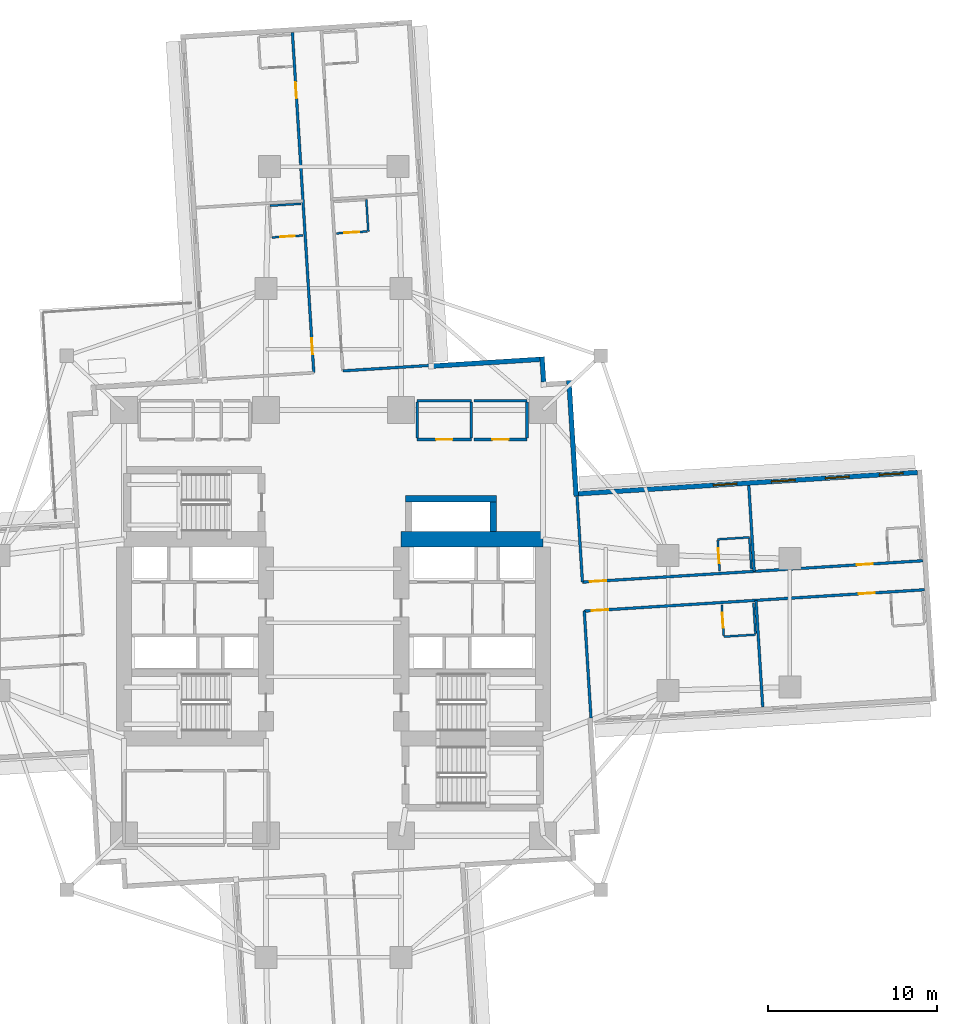
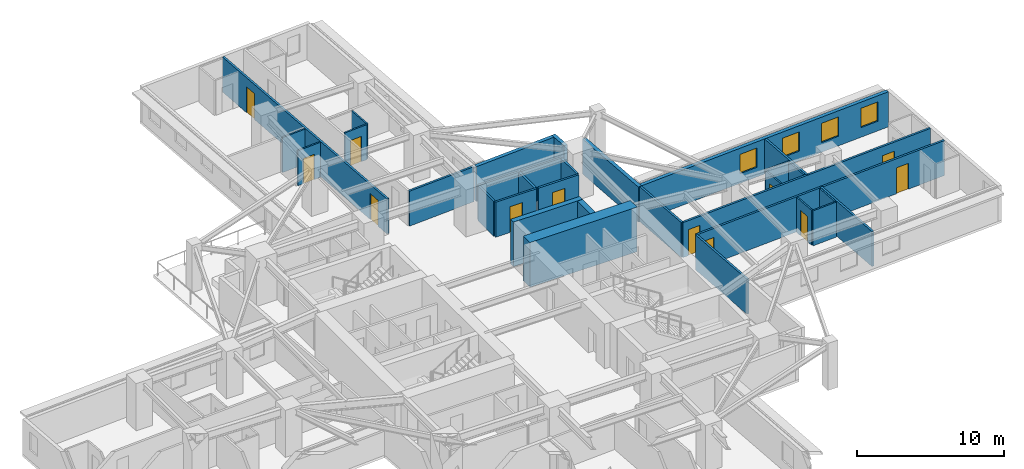
# One storey, part 7 of 14: 32 walls, 12 doors, 4 windows, 16 openings.
"""IFC4 building model written with IfcOpenShell, lengths in metres."""

from ifc_helpers import new_model, si_unit, direction, frame, frame_2d, origin, place, context, subcontext, project, spatial, rectangle, extrude, material, layer, layer_set, type_object, element, fill, save


model = new_model("IFC4")

# Units and contexts
model_context = context("Model", 3, precision=1e-05, world=origin(), true_north=direction((0.0, 1.0)))
body_context = subcontext(model_context, "Body", "Model", "MODEL_VIEW")
ifc_project = project(units=[si_unit("LENGTHUNIT", "METRE"), si_unit("AREAUNIT", "SQUARE_METRE"), si_unit("VOLUMEUNIT", "CUBIC_METRE"), si_unit("PLANEANGLEUNIT", "RADIAN"), si_unit("MASSUNIT", "GRAM", prefix="KILO")], contexts=[model_context])

# Site, building, storey
site_placement = place(None, origin())
site = spatial("IfcSite", under=ifc_project, at=site_placement, CompositionType="ELEMENT")
building_placement = place(site_placement, origin())
building = spatial("IfcBuilding", under=site, at=building_placement, Name="Qingluan Cross Belvedere", CompositionType="ELEMENT")
storey_placement = place(building_placement, frame((0.0, 0.0, 39.300048828125)))
storey = spatial("IfcBuildingStorey", under=building, at=storey_placement, Name="L10", CompositionType="ELEMENT", Elevation=39.300048828125)

# Walls
ifc_material_1 = material(Name="Concrete C50", Category="concrete")
ifc_layer_1 = layer(ifc_material_1, 0.449951171875, Name="CoreShearWall_450")
ifc_layer_set_1 = layer_set([ifc_layer_1], Name="Concrete C50")
wall_type_1 = type_object("IfcWallType", Name="CoreShearWall_450", PredefinedType="SHEAR", material=ifc_layer_set_1)
wall_1_placement = place(storey_placement, frame((4.25, 7.35009765625, 0.0), z_axis=(0.0, 0.0, 1.0), x_axis=(1.0, 0.0, 0.0)))
element("IfcWall", 1, at=wall_1_placement, inside=storey, type_object=wall_type_1, Name="Express shuttle core wall L10-N", PredefinedType="SHEAR", context=body_context, shape_type="SweptSolid", body=[
    extrude(rectangle(XDim=5.39990234375, YDim=0.39990234375, at=frame_2d((2.699951171875, 0.0))), origin(), (0.0, 0.0, 1.0), 3.699951171875),
])
wall_2_placement = place(storey_placement, frame((9.449951171875, 5.405029296875, 0.0), z_axis=(0.0, 0.0, 1.0), x_axis=(0.0, 1.0, 0.0)))
element("IfcWall", 2, at=wall_2_placement, inside=storey, type_object=wall_type_1, Name="Express shuttle core wall L10-E", PredefinedType="SHEAR", context=body_context, shape_type="SweptSolid", body=[
    extrude(rectangle(XDim=1.73486328125, YDim=0.39990234375, at=frame_2d((0.867431640625, 0.0))), origin(), (0.0, 0.0, 1.0), 3.699951171875),
])
ifc_material_2 = material(Name="Concrete C70", Category="concrete")
ifc_layer_2 = layer(ifc_material_2, 0.89990234375, Name="CoreShearWall_900")
ifc_layer_set_2 = layer_set([ifc_layer_2], Name="Concrete C70")
wall_type_2 = type_object("IfcWallType", Name="CoreShearWall_900", PredefinedType="SHEAR", material=ifc_layer_set_2)
wall_3_placement = place(storey_placement, frame((4.0, 4.949951171875, 0.0), z_axis=(0.0, 0.0, 1.0), x_axis=(1.0, 0.0, 0.0)))
element("IfcWall", 3, at=wall_3_placement, inside=storey, type_object=wall_type_2, Name="Split core E shear wall L10-N", PredefinedType="SHEAR", context=body_context, shape_type="SweptSolid", body=[
    extrude(rectangle(XDim=8.39990234375, YDim=0.89990234375, at=frame_2d((4.199951171875, 0.0))), origin(), (0.0, 0.0, 1.0), 3.699951171875),
])

# Wall, opening, door
ifc_material_3 = material(Name="Gypsum plasterboard on steel stud acoustic partition", Category="steel")
ifc_layer_3 = layer(ifc_material_3, 0.159912109375, Name="CorridorPartition_160")
ifc_layer_set_3 = layer_set([ifc_layer_3], Name="Gypsum plasterboard on steel stud acoustic partition")
wall_type_3 = type_object("IfcWallType", Name="CorridorPartition_160", PredefinedType="PARTITIONING", material=ifc_layer_set_3)
wall_4_placement = place(storey_placement, frame((4.949951171875, 10.85009765625, 0.0), z_axis=(0.0, 0.0, 1.0), x_axis=(1.0, 0.0, 0.0)))
wall_4 = element("IfcWall", 4, at=wall_4_placement, inside=storey, type_object=wall_type_3, Name="Partition L10:q_ne1:S", PredefinedType="PARTITIONING", context=body_context, shape_type="SweptSolid", body=[
    extrude(rectangle(XDim=3.199951171875, YDim=0.159912109375, at=frame_2d((1.60009765625, 0.0))), origin(), (0.0, 0.0, 1.0), 2.89990234375),
])
opening_1_placement = place(wall_4_placement, frame((1.1201171875, 0.0, 0.0)))
opening_1 = element("IfcOpeningElement", 5, at=opening_1_placement, cuts=wall_4, Name="Opening GD-10", PredefinedType="OPENING", context=body_context, shape_type="SweptSolid", body=[
    extrude(rectangle(XDim=0.9599609375, YDim=2.14990234375, at=frame_2d((0.47998046875, 1.074951171875))), frame((0.0, 0.08984375, 0.0), z_axis=(0.0, -1.0, 0.0), x_axis=(1.0, 0.0, 0.0)), (0.0, 0.0, 1.0), 0.179931640625),
])
ifc_material_4 = material(Name="Timber oak fire-rated acoustic guestroom door", Category="wood")
door_type_1 = type_object("IfcDoorType", Name="GuestEntryDoor_FD60", OperationType="NOTDEFINED", PredefinedType="DOOR", material=ifc_material_4)
door_1_placement = place(opening_1_placement, origin())
door_1 = element("IfcDoor", 6, at=door_1_placement, inside=storey, type_object=door_type_1, Name="Presidential dining salon L10 door", OperationType="SINGLE_SWING_LEFT", OverallHeight=2.14990234375, OverallWidth=0.9599609375, PredefinedType="DOOR", context=body_context, shape_type="SweptSolid", body=[
    extrude(rectangle(XDim=0.9599609375, YDim=2.14990234375, at=frame_2d((0.47998046875, 1.074951171875))), frame((0.0, 0.02490234375, 0.0), z_axis=(0.0, -1.0, 0.0), x_axis=(1.0, 0.0, 0.0)), (0.0, 0.0, 1.0), 0.050048828125),
])
fill(opening_1, door_1)

# Walls
wall_5_placement = place(storey_placement, frame((4.949951171875, 13.14990234375, 0.0), z_axis=(0.0, 0.0, 1.0), x_axis=(1.0, 0.0, 0.0)))
element("IfcWall", 7, at=wall_5_placement, inside=storey, type_object=wall_type_3, Name="Partition L10:q_ne1:N", PredefinedType="PARTITIONING", context=body_context, shape_type="SweptSolid", body=[
    extrude(rectangle(XDim=3.199951171875, YDim=0.159912109375, at=frame_2d((1.60009765625, 0.0))), origin(), (0.0, 0.0, 1.0), 2.89990234375),
])
for number, where, z_axis, x_axis, name in (
    (8, (4.949951171875, 10.93505859375, 0.0), (0.0, 0.0, 1.0), (0.0, 1.0, 0.0), "Partition L10:q_ne1:W"),
    (9, (8.14990234375, 10.93505859375, 0.0), (0.0, 0.0, 1.0), (0.0, 1.0, 0.0), "Partition L10:q_ne1:E"),
):
    element("IfcWall", number, at=place(storey_placement, frame(where, z_axis=z_axis, x_axis=x_axis)), inside=storey, type_object=wall_type_3, Name=name, PredefinedType="PARTITIONING", context=body_context, shape_type="SweptSolid", body=[
        extrude(rectangle(XDim=2.1298828125, YDim=0.159912109375, at=frame_2d((1.06494140625, 0.0))), origin(), (0.0, 0.0, 1.0), 2.89990234375),
    ])

# Wall, opening, door
wall_6_placement = place(storey_placement, frame((8.31005859375, 10.85009765625, 0.0), z_axis=(0.0, 0.0, 1.0), x_axis=(1.0, 0.0, 0.0)))
wall_6 = element("IfcWall", 10, at=wall_6_placement, inside=storey, type_object=wall_type_3, Name="Partition L10:q_ne2:S", PredefinedType="PARTITIONING", context=body_context, shape_type="SweptSolid", body=[
    extrude(rectangle(XDim=3.139892578125, YDim=0.159912109375, at=frame_2d((1.56982421875, 0.0))), origin(), (0.0, 0.0, 1.0), 2.89990234375),
])
opening_2_placement = place(wall_6_placement, frame((1.090087890625, 0.0, 0.0)))
opening_2 = element("IfcOpeningElement", 11, at=opening_2_placement, cuts=wall_6, Name="Opening GD-10", PredefinedType="OPENING", context=body_context, shape_type="SweptSolid", body=[
    extrude(rectangle(XDim=0.9599609375, YDim=2.14990234375, at=frame_2d((0.47998046875, 1.074951171875))), frame((0.0, 0.08984375, 0.0), z_axis=(0.0, -1.0, 0.0), x_axis=(1.0, 0.0, 0.0)), (0.0, 0.0, 1.0), 0.179931640625),
])
door_2_placement = place(opening_2_placement, origin())
door_2 = element("IfcDoor", 12, at=door_2_placement, inside=storey, type_object=door_type_1, Name="Northeast quiet study L10 door", OperationType="SINGLE_SWING_RIGHT", OverallHeight=2.14990234375, OverallWidth=0.9599609375, PredefinedType="DOOR", context=body_context, shape_type="SweptSolid", body=[
    extrude(rectangle(XDim=0.9599609375, YDim=2.14990234375, at=frame_2d((0.47998046875, 1.074951171875))), frame((0.0, 0.02490234375, 0.0), z_axis=(0.0, -1.0, 0.0), x_axis=(1.0, 0.0, 0.0)), (0.0, 0.0, 1.0), 0.050048828125),
])
fill(opening_2, door_2)

# Walls
wall_7_placement = place(storey_placement, frame((8.31005859375, 13.14990234375, 0.0), z_axis=(0.0, 0.0, 1.0), x_axis=(1.0, 0.0, 0.0)))
element("IfcWall", 13, at=wall_7_placement, inside=storey, type_object=wall_type_3, Name="Partition L10:q_ne2:N", PredefinedType="PARTITIONING", context=body_context, shape_type="SweptSolid", body=[
    extrude(rectangle(XDim=3.139892578125, YDim=0.159912109375, at=frame_2d((1.56982421875, 0.0))), origin(), (0.0, 0.0, 1.0), 2.89990234375),
])
wall_8_placement = place(storey_placement, frame((11.449951171875, 10.93505859375, 0.0), z_axis=(0.0, 0.0, 1.0), x_axis=(0.0, 1.0, 0.0)))
element("IfcWall", 14, at=wall_8_placement, inside=storey, type_object=wall_type_3, Name="Partition L10:q_ne2:E", PredefinedType="PARTITIONING", context=body_context, shape_type="SweptSolid", body=[
    extrude(rectangle(XDim=2.1298828125, YDim=0.159912109375, at=frame_2d((1.06494140625, 0.0))), origin(), (0.0, 0.0, 1.0), 2.89990234375),
])

# Wall, openings, doors
wall_9_placement = place(storey_placement, frame((14.727783203125, 2.409423828125, 0.0), z_axis=(0.0, 0.0, 1.0), x_axis=(0.998026414479, 0.062795509413, 0.0)))
wall_9 = element("IfcWall", 15, at=wall_9_placement, inside=storey, type_object=wall_type_3, Name="Partition L10:E:c0", PredefinedType="PARTITIONING", context=body_context, shape_type="SweptSolid", body=[
    extrude(rectangle(XDim=20.181884765625, YDim=0.159912109375, at=frame_2d((10.0908203125, 0.0))), origin(), (0.0, 0.0, 1.0), 2.89990234375),
])
opening_3_placement = place(wall_9_placement, frame((0.449951171875, 0.0, 0.0)))
opening_3 = element("IfcOpeningElement", 16, at=opening_3_placement, cuts=wall_9, Name="Opening GD-10", PredefinedType="OPENING", context=body_context, shape_type="SweptSolid", body=[
    extrude(rectangle(XDim=0.9599609375, YDim=2.14990234375, at=frame_2d((0.47998046875, 1.074951171875))), frame((0.0, 0.08984375, 0.0), z_axis=(0.0, -1.0, 0.0), x_axis=(1.0, 0.0, 0.0)), (0.0, 0.0, 1.0), 0.179931640625),
])
opening_4_placement = place(wall_9_placement, frame((16.26806640625, 0.0, 0.0)))
opening_4 = element("IfcOpeningElement", 17, at=opening_4_placement, cuts=wall_9, Name="Opening GD-10", PredefinedType="OPENING", context=body_context, shape_type="SweptSolid", body=[
    extrude(rectangle(XDim=0.9599609375, YDim=2.14990234375, at=frame_2d((0.47998046875, 1.074951171875))), frame((0.0, 0.08984375, 0.0), z_axis=(0.0, -1.0, 0.0), x_axis=(1.0, 0.0, 0.0)), (0.0, 0.0, 1.0), 0.179931640625),
])
door_3_placement = place(opening_3_placement, origin())
door_3 = element("IfcDoor", 18, at=door_3_placement, inside=storey, type_object=door_type_1, Name="Guest entry fire door 1001", OperationType="SINGLE_SWING_LEFT", OverallHeight=2.14990234375, OverallWidth=0.9599609375, PredefinedType="DOOR", context=body_context, shape_type="SweptSolid", body=[
    extrude(rectangle(XDim=0.9599609375, YDim=2.14990234375, at=frame_2d((0.47998046875, 1.074951171875))), frame((0.0, 0.02490234375, 0.0), z_axis=(0.0, -1.0, 0.0), x_axis=(1.0, 0.0, 0.0)), (0.0, 0.0, 1.0), 0.050048828125),
])
fill(opening_3, door_3)
door_4_placement = place(opening_4_placement, origin())
door_4 = element("IfcDoor", 19, at=door_4_placement, inside=storey, type_object=door_type_1, Name="Guest entry fire door 1002", OperationType="SINGLE_SWING_LEFT", OverallHeight=2.14990234375, OverallWidth=0.9599609375, PredefinedType="DOOR", context=body_context, shape_type="SweptSolid", body=[
    extrude(rectangle(XDim=0.9599609375, YDim=2.14990234375, at=frame_2d((0.47998046875, 1.074951171875))), frame((0.0, 0.02490234375, 0.0), z_axis=(0.0, -1.0, 0.0), x_axis=(1.0, 0.0, 0.0)), (0.0, 0.0, 1.0), 0.050048828125),
])
fill(opening_4, door_4)

# Walls
for number, where, z_axis, x_axis, name in (
    (20, (14.727783203125, 2.409423828125, 0.0), (0.0, 0.0, 1.0), (-0.06280810744, 0.998025621735, 0.0), "Partition L10:E:s0"),
    (21, (24.892578125, 3.049072265625, 0.0), (0.0, 0.0, 1.0), (-0.062760351241, 0.998028625998, 0.0), "Partition L10:E:d0_0"),
):
    element("IfcWall", number, at=place(storey_placement, frame(where, z_axis=z_axis, x_axis=x_axis)), inside=storey, type_object=wall_type_3, Name=name, PredefinedType="PARTITIONING", context=body_context, shape_type="SweptSolid", body=[
        extrude(rectangle(XDim=5.092041015625, YDim=0.159912109375, at=frame_2d((2.5458984375, 0.0))), origin(), (0.0, 0.0, 1.0), 2.89990234375),
    ])

# Wall, openings, doors
wall_10_placement = place(storey_placement, frame((14.835693359375, 0.69287109375, 0.0), z_axis=(0.0, 0.0, 1.0), x_axis=(0.998026414479, 0.062795509413, 0.0)))
wall_10 = element("IfcWall", 22, at=wall_10_placement, inside=storey, type_object=wall_type_3, Name="Partition L10:E:c1", PredefinedType="PARTITIONING", context=body_context, shape_type="SweptSolid", body=[
    extrude(rectangle(XDim=20.181884765625, YDim=0.159912109375, at=frame_2d((10.0908203125, 0.0))), origin(), (0.0, 0.0, 1.0), 2.89990234375),
])
opening_5_placement = place(wall_10_placement, frame((0.449951171875, 0.0, 0.0)))
opening_5 = element("IfcOpeningElement", 23, at=opening_5_placement, cuts=wall_10, Name="Opening GD-10", PredefinedType="OPENING", context=body_context, shape_type="SweptSolid", body=[
    extrude(rectangle(XDim=0.9599609375, YDim=2.14990234375, at=frame_2d((0.47998046875, 1.074951171875))), frame((0.0, 0.08984375, 0.0), z_axis=(0.0, -1.0, 0.0), x_axis=(1.0, 0.0, 0.0)), (0.0, 0.0, 1.0), 0.179931640625),
])
opening_6_placement = place(wall_10_placement, frame((16.26806640625, 0.0, 0.0)))
opening_6 = element("IfcOpeningElement", 24, at=opening_6_placement, cuts=wall_10, Name="Opening GD-10", PredefinedType="OPENING", context=body_context, shape_type="SweptSolid", body=[
    extrude(rectangle(XDim=0.9599609375, YDim=2.14990234375, at=frame_2d((0.47998046875, 1.074951171875))), frame((0.0, 0.08984375, 0.0), z_axis=(0.0, -1.0, 0.0), x_axis=(1.0, 0.0, 0.0)), (0.0, 0.0, 1.0), 0.179931640625),
])
door_5_placement = place(opening_5_placement, origin())
door_5 = element("IfcDoor", 25, at=door_5_placement, inside=storey, type_object=door_type_1, Name="Guest entry fire door 1003", OperationType="SINGLE_SWING_LEFT", OverallHeight=2.14990234375, OverallWidth=0.9599609375, PredefinedType="DOOR", context=body_context, shape_type="SweptSolid", body=[
    extrude(rectangle(XDim=0.9599609375, YDim=2.14990234375, at=frame_2d((0.47998046875, 1.074951171875))), frame((0.0, 0.02490234375, 0.0), z_axis=(0.0, -1.0, 0.0), x_axis=(1.0, 0.0, 0.0)), (0.0, 0.0, 1.0), 0.050048828125),
])
fill(opening_5, door_5)
door_6_placement = place(opening_6_placement, origin())
door_6 = element("IfcDoor", 26, at=door_6_placement, inside=storey, type_object=door_type_1, Name="Guest entry fire door 1004", OperationType="SINGLE_SWING_LEFT", OverallHeight=2.14990234375, OverallWidth=0.9599609375, PredefinedType="DOOR", context=body_context, shape_type="SweptSolid", body=[
    extrude(rectangle(XDim=0.9599609375, YDim=2.14990234375, at=frame_2d((0.47998046875, 1.074951171875))), frame((0.0, 0.02490234375, 0.0), z_axis=(0.0, -1.0, 0.0), x_axis=(1.0, 0.0, 0.0)), (0.0, 0.0, 1.0), 0.050048828125),
])
fill(opening_6, door_6)

# Walls
for number, where, z_axis, x_axis, name in (
    (27, (14.835693359375, 0.69287109375, 0.0), (0.0, 0.0, 1.0), (0.062807948776, -0.99802563172, 0.0), "Partition L10:E:s1"),
    (28, (25.000732421875, 1.33251953125, 0.0), (0.0, 0.0, 1.0), (0.062769544596, -0.998028047838, 0.0), "Partition L10:E:d1_0"),
):
    element("IfcWall", number, at=place(storey_placement, frame(where, z_axis=z_axis, x_axis=x_axis)), inside=storey, type_object=wall_type_3, Name=name, PredefinedType="PARTITIONING", context=body_context, shape_type="SweptSolid", body=[
        extrude(rectangle(XDim=6.33203125, YDim=0.159912109375, at=frame_2d((3.166015625, 0.0))), origin(), (0.0, 0.0, 1.0), 2.89990234375),
    ])
wall_11_placement = place(storey_placement, frame((0.544677734375, 14.91357421875, 0.0), z_axis=(0.0, 0.0, 1.0), x_axis=(0.998025838074, 0.062804669704, 0.0)))
element("IfcWall", 29, at=wall_11_placement, inside=storey, type_object=wall_type_3, Name="Partition L10:N:s0", PredefinedType="PARTITIONING", context=body_context, shape_type="SweptSolid", body=[
    extrude(rectangle(XDim=5.239990234375, YDim=0.159912109375, at=frame_2d((2.6201171875, 0.0))), origin(), (0.0, 0.0, 1.0), 2.89990234375),
])

# Wall, openings, doors
wall_12_placement = place(storey_placement, frame((-1.172119140625, 14.8056640625, 0.0), z_axis=(0.0, 0.0, 1.0), x_axis=(-0.062783460104, 0.998027172545, 0.0)))
wall_12 = element("IfcWall", 30, at=wall_12_placement, inside=storey, type_object=wall_type_3, Name="Partition L10:N:c1", PredefinedType="PARTITIONING", context=body_context, shape_type="SweptSolid", body=[
    extrude(rectangle(XDim=20.181884765625, YDim=0.159912109375, at=frame_2d((10.0908203125, 0.0))), origin(), (0.0, 0.0, 1.0), 2.89990234375),
])
opening_7_placement = place(wall_12_placement, frame((1.093994140625, 0.0, 0.0)))
opening_7 = element("IfcOpeningElement", 31, at=opening_7_placement, cuts=wall_12, Name="Opening GD-10", PredefinedType="OPENING", context=body_context, shape_type="SweptSolid", body=[
    extrude(rectangle(XDim=0.9599609375, YDim=2.14990234375, at=frame_2d((0.47998046875, 1.074951171875))), frame((0.0, 0.08984375, 0.0), z_axis=(0.0, -1.0, 0.0), x_axis=(1.0, 0.0, 0.0)), (0.0, 0.0, 1.0), 0.179931640625),
])
opening_8_placement = place(wall_12_placement, frame((16.26806640625, 0.0, 0.0)))
opening_8 = element("IfcOpeningElement", 32, at=opening_8_placement, cuts=wall_12, Name="Opening GD-10", PredefinedType="OPENING", context=body_context, shape_type="SweptSolid", body=[
    extrude(rectangle(XDim=0.9599609375, YDim=2.14990234375, at=frame_2d((0.47998046875, 1.074951171875))), frame((0.0, 0.08984375, 0.0), z_axis=(0.0, -1.0, 0.0), x_axis=(1.0, 0.0, 0.0)), (0.0, 0.0, 1.0), 0.179931640625),
])
door_7_placement = place(opening_7_placement, origin())
door_7 = element("IfcDoor", 33, at=door_7_placement, inside=storey, type_object=door_type_1, Name="Guest entry fire door 1011", OperationType="SINGLE_SWING_LEFT", OverallHeight=2.14990234375, OverallWidth=0.9599609375, PredefinedType="DOOR", context=body_context, shape_type="SweptSolid", body=[
    extrude(rectangle(XDim=0.9599609375, YDim=2.14990234375, at=frame_2d((0.47998046875, 1.074951171875))), frame((0.0, 0.02490234375, 0.0), z_axis=(0.0, -1.0, 0.0), x_axis=(1.0, 0.0, 0.0)), (0.0, 0.0, 1.0), 0.050048828125),
])
fill(opening_7, door_7)
door_8_placement = place(opening_8_placement, origin())
door_8 = element("IfcDoor", 34, at=door_8_placement, inside=storey, type_object=door_type_1, Name="Guest entry fire door 1012", OperationType="SINGLE_SWING_LEFT", OverallHeight=2.14990234375, OverallWidth=0.9599609375, PredefinedType="DOOR", context=body_context, shape_type="SweptSolid", body=[
    extrude(rectangle(XDim=0.9599609375, YDim=2.14990234375, at=frame_2d((0.47998046875, 1.074951171875))), frame((0.0, 0.02490234375, 0.0), z_axis=(0.0, -1.0, 0.0), x_axis=(1.0, 0.0, 0.0)), (0.0, 0.0, 1.0), 0.050048828125),
])
fill(opening_8, door_8)

# Wall, opening, door
ifc_material_5 = material(Name="Moisture-resistant gypsum board lining")
ifc_layer_4 = layer(ifc_material_5, 0.1201171875, Name="EnsuiteWetPartition_120")
ifc_layer_set_4 = layer_set([ifc_layer_4], Name="Moisture-resistant gypsum board lining")
wall_type_4 = type_object("IfcWallType", Name="EnsuiteWetPartition_120", PredefinedType="PARTITIONING", material=ifc_layer_set_4)
wall_13_placement = place(storey_placement, frame((22.847900390625, 3.060791015625, 0.0), z_axis=(0.0, 0.0, 1.0), x_axis=(-0.062779145668, 0.998027443946, 0.0)))
wall_13 = element("IfcWall", 35, at=wall_13_placement, inside=storey, type_object=wall_type_4, Name="Partition L10:E:bs0_0", PredefinedType="PARTITIONING", context=body_context, shape_type="SweptSolid", body=[
    extrude(rectangle(XDim=1.820068359375, YDim=0.1201171875, at=frame_2d((0.91015625, 0.0))), origin(), (0.0, 0.0, 1.0), 2.89990234375),
])
opening_9_placement = place(wall_13_placement, frame((0.469970703125, 0.0, 0.0)))
opening_9 = element("IfcOpeningElement", 36, at=opening_9_placement, cuts=wall_13, Name="Opening BD-09", PredefinedType="OPENING", context=body_context, shape_type="SweptSolid", body=[
    extrude(rectangle(XDim=0.8798828125, YDim=2.10009765625, at=frame_2d((0.43994140625, 1.050048828125))), frame((0.0, 0.070068359375, 0.0), z_axis=(0.0, -1.0, 0.0), x_axis=(1.0, 0.0, 0.0)), (0.0, 0.0, 1.0), 0.14013671875),
])
ifc_material_6 = material(Name="Moisture-sealed timber en-suite door", Category="wood")
door_type_2 = type_object("IfcDoorType", Name="BathroomDoor_880", OperationType="NOTDEFINED", PredefinedType="DOOR", material=ifc_material_6)
door_9_placement = place(opening_9_placement, origin())
door_9 = element("IfcDoor", 37, at=door_9_placement, inside=storey, type_object=door_type_2, Name="Bathroom door 1001", OperationType="SINGLE_SWING_RIGHT", OverallHeight=2.10009765625, OverallWidth=0.8798828125, PredefinedType="DOOR", context=body_context, shape_type="SweptSolid", body=[
    extrude(rectangle(XDim=0.8798828125, YDim=2.10009765625, at=frame_2d((0.43994140625, 1.050048828125))), frame((0.0, 0.02490234375, 0.0), z_axis=(0.0, -1.0, 0.0), x_axis=(1.0, 0.0, 0.0)), (0.0, 0.0, 1.0), 0.050048828125),
])
fill(opening_9, door_9)

# Walls
wall_14_placement = place(storey_placement, frame((24.72412109375, 3.1787109375, 0.0), z_axis=(0.0, 0.0, 1.0), x_axis=(-0.062779145668, 0.998027443946, 0.0)))
element("IfcWall", 38, at=wall_14_placement, inside=storey, type_object=wall_type_4, Name="Partition L10:E:bw0_0", PredefinedType="PARTITIONING", context=body_context, shape_type="SweptSolid", body=[
    extrude(rectangle(XDim=1.820068359375, YDim=0.1201171875, at=frame_2d((0.91015625, 0.0))), origin(), (0.0, 0.0, 1.0), 2.89990234375),
])
wall_15_placement = place(storey_placement, frame((22.7294921875, 4.94189453125, 0.0), z_axis=(0.0, 0.0, 1.0), x_axis=(0.998022650819, 0.062855297722, 0.0)))
element("IfcWall", 39, at=wall_15_placement, inside=storey, type_object=wall_type_4, Name="Partition L10:E:bn0_0", PredefinedType="PARTITIONING", context=body_context, shape_type="SweptSolid", body=[
    extrude(rectangle(XDim=1.8798828125, YDim=0.1201171875, at=frame_2d((0.93994140625, 0.0))), origin(), (0.0, 0.0, 1.0), 2.89990234375),
])

# Wall, opening, door
wall_16_placement = place(storey_placement, frame((23.087890625, -0.751708984375, 0.0), z_axis=(0.0, 0.0, 1.0), x_axis=(-0.062912758763, 0.998019030272, 0.0)))
wall_16 = element("IfcWall", 40, at=wall_16_placement, inside=storey, type_object=wall_type_4, Name="Partition L10:E:bs1_0", PredefinedType="PARTITIONING", context=body_context, shape_type="SweptSolid", body=[
    extrude(rectangle(XDim=1.820068359375, YDim=0.1201171875, at=frame_2d((0.91015625, 0.0))), origin(), (0.0, 0.0, 1.0), 2.89990234375),
])
opening_10_placement = place(wall_16_placement, frame((0.469970703125, 0.0, 0.0)))
opening_10 = element("IfcOpeningElement", 41, at=opening_10_placement, cuts=wall_16, Name="Opening BD-09", PredefinedType="OPENING", context=body_context, shape_type="SweptSolid", body=[
    extrude(rectangle(XDim=0.8798828125, YDim=2.10009765625, at=frame_2d((0.43994140625, 1.050048828125))), frame((0.0, 0.070068359375, 0.0), z_axis=(0.0, -1.0, 0.0), x_axis=(1.0, 0.0, 0.0)), (0.0, 0.0, 1.0), 0.14013671875),
])
door_10_placement = place(opening_10_placement, origin())
door_10 = element("IfcDoor", 42, at=door_10_placement, inside=storey, type_object=door_type_2, Name="Bathroom door 1003", OperationType="SINGLE_SWING_RIGHT", OverallHeight=2.10009765625, OverallWidth=0.8798828125, PredefinedType="DOOR", context=body_context, shape_type="SweptSolid", body=[
    extrude(rectangle(XDim=0.8798828125, YDim=2.10009765625, at=frame_2d((0.43994140625, 1.050048828125))), frame((0.0, 0.02490234375, 0.0), z_axis=(0.0, -1.0, 0.0), x_axis=(1.0, 0.0, 0.0)), (0.0, 0.0, 1.0), 0.050048828125),
])
fill(opening_10, door_10)

# Walls
wall_17_placement = place(storey_placement, frame((24.964111328125, -0.6337890625, 0.0), z_axis=(0.0, 0.0, 1.0), x_axis=(-0.062779145668, 0.998027443946, 0.0)))
element("IfcWall", 43, at=wall_17_placement, inside=storey, type_object=wall_type_4, Name="Partition L10:E:bw1_0", PredefinedType="PARTITIONING", context=body_context, shape_type="SweptSolid", body=[
    extrude(rectangle(XDim=1.820068359375, YDim=0.1201171875, at=frame_2d((0.91015625, 0.0))), origin(), (0.0, 0.0, 1.0), 2.89990234375),
])
wall_18_placement = place(storey_placement, frame((23.091796875, -0.816650390625, 0.0), z_axis=(0.0, 0.0, 1.0), x_axis=(0.998022650819, 0.062855297722, 0.0)))
element("IfcWall", 44, at=wall_18_placement, inside=storey, type_object=wall_type_4, Name="Partition L10:E:bc1_0", PredefinedType="PARTITIONING", context=body_context, shape_type="SweptSolid", body=[
    extrude(rectangle(XDim=1.8798828125, YDim=0.1201171875, at=frame_2d((0.93994140625, 0.0))), origin(), (0.0, 0.0, 1.0), 2.89990234375),
])

# Wall, opening, door
wall_19_placement = place(storey_placement, frame((0.1728515625, 23.05126953125, 0.0), z_axis=(0.0, 0.0, 1.0), x_axis=(0.998027443946, 0.062779145668, 0.0)))
wall_19 = element("IfcWall", 45, at=wall_19_placement, inside=storey, type_object=wall_type_4, Name="Partition L10:N:bs0_0", PredefinedType="PARTITIONING", context=body_context, shape_type="SweptSolid", body=[
    extrude(rectangle(XDim=1.820068359375, YDim=0.1201171875, at=frame_2d((0.91015625, 0.0))), origin(), (0.0, 0.0, 1.0), 2.89990234375),
])
opening_11_placement = place(wall_19_placement, frame((0.469970703125, 0.0, 0.0)))
opening_11 = element("IfcOpeningElement", 46, at=opening_11_placement, cuts=wall_19, Name="Opening BD-09", PredefinedType="OPENING", context=body_context, shape_type="SweptSolid", body=[
    extrude(rectangle(XDim=0.8798828125, YDim=2.10009765625, at=frame_2d((0.43994140625, 1.050048828125))), frame((0.0, 0.070068359375, 0.0), z_axis=(0.0, -1.0, 0.0), x_axis=(1.0, 0.0, 0.0)), (0.0, 0.0, 1.0), 0.14013671875),
])
door_11_placement = place(opening_11_placement, origin())
door_11 = element("IfcDoor", 47, at=door_11_placement, inside=storey, type_object=door_type_2, Name="Bathroom door 1009", OperationType="SINGLE_SWING_RIGHT", OverallHeight=2.10009765625, OverallWidth=0.8798828125, PredefinedType="DOOR", context=body_context, shape_type="SweptSolid", body=[
    extrude(rectangle(XDim=0.8798828125, YDim=2.10009765625, at=frame_2d((0.43994140625, 1.050048828125))), frame((0.0, 0.02490234375, 0.0), z_axis=(0.0, -1.0, 0.0), x_axis=(1.0, 0.0, 0.0)), (0.0, 0.0, 1.0), 0.050048828125),
])
fill(opening_11, door_11)

# Wall
wall_20_placement = place(storey_placement, frame((2.05419921875, 23.169677734375, 0.0), z_axis=(0.0, 0.0, 1.0), x_axis=(-0.062725942896, 0.998030789148, 0.0)))
element("IfcWall", 48, at=wall_20_placement, inside=storey, type_object=wall_type_4, Name="Partition L10:N:bn0_0", PredefinedType="PARTITIONING", context=body_context, shape_type="SweptSolid", body=[
    extrude(rectangle(XDim=1.8798828125, YDim=0.1201171875, at=frame_2d((0.93994140625, 0.0))), origin(), (0.0, 0.0, 1.0), 2.89990234375),
])

# Wall, opening, door
wall_21_placement = place(storey_placement, frame((-3.639404296875, 22.8115234375, 0.0), z_axis=(0.0, 0.0, 1.0), x_axis=(0.998027443946, 0.062779145668, 0.0)))
wall_21 = element("IfcWall", 49, at=wall_21_placement, inside=storey, type_object=wall_type_4, Name="Partition L10:N:bs1_0", PredefinedType="PARTITIONING", context=body_context, shape_type="SweptSolid", body=[
    extrude(rectangle(XDim=1.820068359375, YDim=0.1201171875, at=frame_2d((0.91015625, 0.0))), origin(), (0.0, 0.0, 1.0), 2.89990234375),
])
opening_12_placement = place(wall_21_placement, frame((0.469970703125, 0.0, 0.0)))
opening_12 = element("IfcOpeningElement", 50, at=opening_12_placement, cuts=wall_21, Name="Opening BD-09", PredefinedType="OPENING", context=body_context, shape_type="SweptSolid", body=[
    extrude(rectangle(XDim=0.8798828125, YDim=2.10009765625, at=frame_2d((0.43994140625, 1.050048828125))), frame((0.0, 0.070068359375, 0.0), z_axis=(0.0, -1.0, 0.0), x_axis=(1.0, 0.0, 0.0)), (0.0, 0.0, 1.0), 0.14013671875),
])
door_12_placement = place(opening_12_placement, origin())
door_12 = element("IfcDoor", 51, at=door_12_placement, inside=storey, type_object=door_type_2, Name="Bathroom door 1011", OperationType="SINGLE_SWING_RIGHT", OverallHeight=2.10009765625, OverallWidth=0.8798828125, PredefinedType="DOOR", context=body_context, shape_type="SweptSolid", body=[
    extrude(rectangle(XDim=0.8798828125, YDim=2.10009765625, at=frame_2d((0.43994140625, 1.050048828125))), frame((0.0, 0.02490234375, 0.0), z_axis=(0.0, -1.0, 0.0), x_axis=(1.0, 0.0, 0.0)), (0.0, 0.0, 1.0), 0.050048828125),
])
fill(opening_12, door_12)

# Wall
wall_22_placement = place(storey_placement, frame((-3.757568359375, 24.687744140625, 0.0), z_axis=(0.0, 0.0, 1.0), x_axis=(0.998027443946, 0.062779145668, 0.0)))
element("IfcWall", 52, at=wall_22_placement, inside=storey, type_object=wall_type_4, Name="Partition L10:N:bw1_0", PredefinedType="PARTITIONING", context=body_context, shape_type="SweptSolid", body=[
    extrude(rectangle(XDim=1.820068359375, YDim=0.1201171875, at=frame_2d((0.91015625, 0.0))), origin(), (0.0, 0.0, 1.0), 2.89990234375),
])

# Wall, openings, windows
ifc_material_7 = material(Name="Precast concrete C45", Category="concrete")
ifc_layer_5 = layer(ifc_material_7, 0.280029296875, Name="PrecastFacadeWall_280")
ifc_layer_set_5 = layer_set([ifc_layer_5], Name="Precast concrete C45")
wall_type_5 = type_object("IfcWallType", Name="PrecastFacadeWall_280", PredefinedType="STANDARD", material=ifc_layer_set_5)
wall_23_placement = place(storey_placement, frame((34.548828125, 8.906982421875, 0.0), z_axis=(0.0, 0.0, 1.0), x_axis=(-0.99802635503, -0.06279645424, 0.0)))
wall_23 = element("IfcWall", 53, at=wall_23_placement, inside=storey, type_object=wall_type_5, Name="Facade wall L10-EB", PredefinedType="STANDARD", context=body_context, shape_type="SweptSolid", body=[
    extrude(rectangle(XDim=20.099853515625, YDim=0.280029296875, at=frame_2d((10.0498046875, 0.0))), origin(), (0.0, 0.0, 1.0), 2.909912109375),
])
opening_13_placement = place(wall_23_placement, frame((0.85009765625, 0.0, 0.800048828125)))
opening_13 = element("IfcOpeningElement", 54, at=opening_13_placement, cuts=wall_23, Name="Opening W-01", PredefinedType="OPENING", context=body_context, shape_type="SweptSolid", body=[
    extrude(rectangle(XDim=1.39990234375, YDim=1.60009765625, at=frame_2d((0.699951171875, 0.800048828125))), frame((0.0, 0.14990234375, 0.0), z_axis=(0.0, -1.0, 0.0), x_axis=(1.0, 0.0, 0.0)), (0.0, 0.0, 1.0), 0.300048828125),
])
opening_14_placement = place(wall_23_placement, frame((4.050048828125, 0.0, 0.800048828125)))
opening_14 = element("IfcOpeningElement", 55, at=opening_14_placement, cuts=wall_23, Name="Opening W-01", PredefinedType="OPENING", context=body_context, shape_type="SweptSolid", body=[
    extrude(rectangle(XDim=1.39990234375, YDim=1.60009765625, at=frame_2d((0.699951171875, 0.800048828125))), frame((0.0, 0.14990234375, 0.0), z_axis=(0.0, -1.0, 0.0), x_axis=(1.0, 0.0, 0.0)), (0.0, 0.0, 1.0), 0.300048828125),
])
opening_15_placement = place(wall_23_placement, frame((7.25, 0.0, 0.800048828125)))
opening_15 = element("IfcOpeningElement", 56, at=opening_15_placement, cuts=wall_23, Name="Opening W-01", PredefinedType="OPENING", context=body_context, shape_type="SweptSolid", body=[
    extrude(rectangle(XDim=1.39990234375, YDim=1.60009765625, at=frame_2d((0.699951171875, 0.800048828125))), frame((0.0, 0.14990234375, 0.0), z_axis=(0.0, -1.0, 0.0), x_axis=(1.0, 0.0, 0.0)), (0.0, 0.0, 1.0), 0.300048828125),
])
opening_16_placement = place(wall_23_placement, frame((10.699951171875, 0.0, 0.800048828125)))
opening_16 = element("IfcOpeningElement", 57, at=opening_16_placement, cuts=wall_23, Name="Opening W-01", PredefinedType="OPENING", context=body_context, shape_type="SweptSolid", body=[
    extrude(rectangle(XDim=1.39990234375, YDim=1.60009765625, at=frame_2d((0.699951171875, 0.800048828125))), frame((0.0, 0.14990234375, 0.0), z_axis=(0.0, -1.0, 0.0), x_axis=(1.0, 0.0, 0.0)), (0.0, 0.0, 1.0), 0.300048828125),
])
ifc_material_8 = material(Name="Thermally broken triple Low-E glass in aluminium frame", Category="aluminium")
window_type = type_object("IfcWindowType", Name="TriRibbonWin_1400x1600", PartitioningType="SINGLE_PANEL", PredefinedType="WINDOW", material=ifc_material_8)
window_1_placement = place(opening_13_placement, origin())
window_1 = element("IfcWindow", 58, at=window_1_placement, inside=storey, type_object=window_type, Name="Ribbon window L10-EB-1", OverallHeight=1.60009765625, OverallWidth=1.39990234375, PartitioningType="SINGLE_PANEL", PredefinedType="WINDOW", context=body_context, shape_type="SweptSolid", body=[
    extrude(rectangle(XDim=1.39990234375, YDim=1.60009765625, at=frame_2d((0.699951171875, 0.800048828125))), frame((0.0, 0.030029296875, 0.0), z_axis=(0.0, -1.0, 0.0), x_axis=(1.0, 0.0, 0.0)), (0.0, 0.0, 1.0), 0.06005859375),
])
fill(opening_13, window_1)
window_2_placement = place(opening_14_placement, origin())
window_2 = element("IfcWindow", 59, at=window_2_placement, inside=storey, type_object=window_type, Name="Ribbon window L10-EB-2", OverallHeight=1.60009765625, OverallWidth=1.39990234375, PartitioningType="SINGLE_PANEL", PredefinedType="WINDOW", context=body_context, shape_type="SweptSolid", body=[
    extrude(rectangle(XDim=1.39990234375, YDim=1.60009765625, at=frame_2d((0.699951171875, 0.800048828125))), frame((0.0, 0.030029296875, 0.0), z_axis=(0.0, -1.0, 0.0), x_axis=(1.0, 0.0, 0.0)), (0.0, 0.0, 1.0), 0.06005859375),
])
fill(opening_14, window_2)
window_3_placement = place(opening_15_placement, origin())
window_3 = element("IfcWindow", 60, at=window_3_placement, inside=storey, type_object=window_type, Name="Ribbon window L10-EB-3", OverallHeight=1.60009765625, OverallWidth=1.39990234375, PartitioningType="SINGLE_PANEL", PredefinedType="WINDOW", context=body_context, shape_type="SweptSolid", body=[
    extrude(rectangle(XDim=1.39990234375, YDim=1.60009765625, at=frame_2d((0.699951171875, 0.800048828125))), frame((0.0, 0.030029296875, 0.0), z_axis=(0.0, -1.0, 0.0), x_axis=(1.0, 0.0, 0.0)), (0.0, 0.0, 1.0), 0.06005859375),
])
fill(opening_15, window_3)
window_4_placement = place(opening_16_placement, origin())
window_4 = element("IfcWindow", 61, at=window_4_placement, inside=storey, type_object=window_type, Name="Ribbon window L10-EB-4", OverallHeight=1.60009765625, OverallWidth=1.39990234375, PartitioningType="SINGLE_PANEL", PredefinedType="WINDOW", context=body_context, shape_type="SweptSolid", body=[
    extrude(rectangle(XDim=1.39990234375, YDim=1.60009765625, at=frame_2d((0.699951171875, 0.800048828125))), frame((0.0, 0.030029296875, 0.0), z_axis=(0.0, -1.0, 0.0), x_axis=(1.0, 0.0, 0.0)), (0.0, 0.0, 1.0), 0.06005859375),
])
fill(opening_16, window_4)

# Walls
wall_24_placement = place(storey_placement, frame((14.357666015625, 7.496337890625, 0.0), z_axis=(0.0, 0.0, 1.0), x_axis=(-0.062779317195, 0.998027433156, 0.0)))
element("IfcWall", 62, at=wall_24_placement, inside=storey, type_object=wall_type_5, Name="Corner wall L10-NE1", PredefinedType="STANDARD", context=body_context, shape_type="SweptSolid", body=[
    extrude(rectangle(XDim=6.85986328125, YDim=0.280029296875, at=frame_2d((3.429931640625, 0.0))), origin(), (0.0, 0.0, 1.0), 2.909912109375),
])
wall_25_placement = place(storey_placement, frame((12.429931640625, 14.24853515625, 0.0), z_axis=(0.0, 0.0, 1.0), x_axis=(-0.062824119533, 0.998024613927, 0.0)))
element("IfcWall", 63, at=wall_25_placement, inside=storey, type_object=wall_type_5, Name="Corner wall L10-NE3", PredefinedType="STANDARD", context=body_context, shape_type="SweptSolid", body=[
    extrude(rectangle(XDim=1.5, YDim=0.280029296875, at=frame_2d((0.75, 0.0))), origin(), (0.0, 0.0, 1.0), 2.909912109375),
])
wall_26_placement = place(storey_placement, frame((12.20458984375, 15.59716796875, 0.0), z_axis=(0.0, 0.0, 1.0), x_axis=(-0.998024885752, -0.062819801181, 0.0)))
element("IfcWall", 64, at=wall_26_placement, inside=storey, type_object=wall_type_5, Name="Corner wall L10-NE4", PredefinedType="STANDARD", context=body_context, shape_type="SweptSolid", body=[
    extrude(rectangle(XDim=6.2998046875, YDim=0.280029296875, at=frame_2d((3.14990234375, 0.0))), origin(), (0.0, 0.0, 1.0), 2.909912109375),
])

save(model, "model.ifc")
